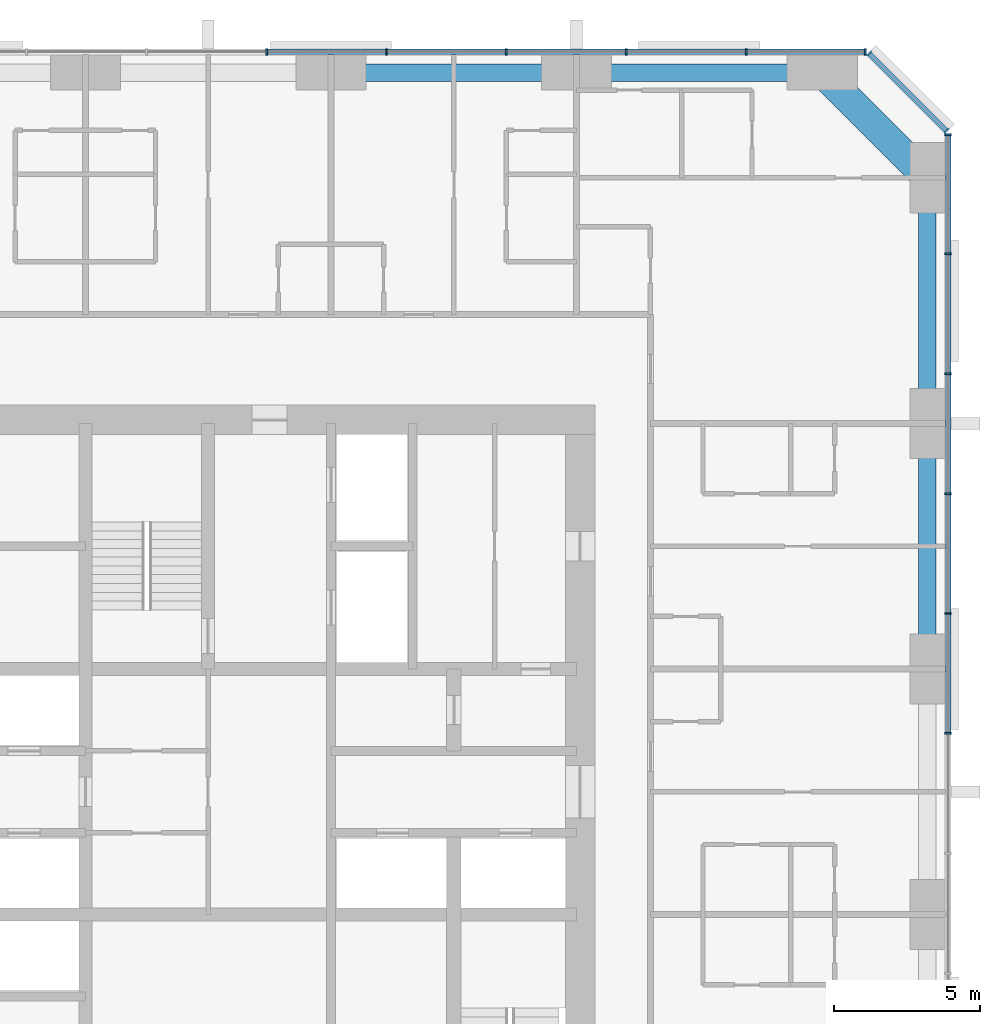
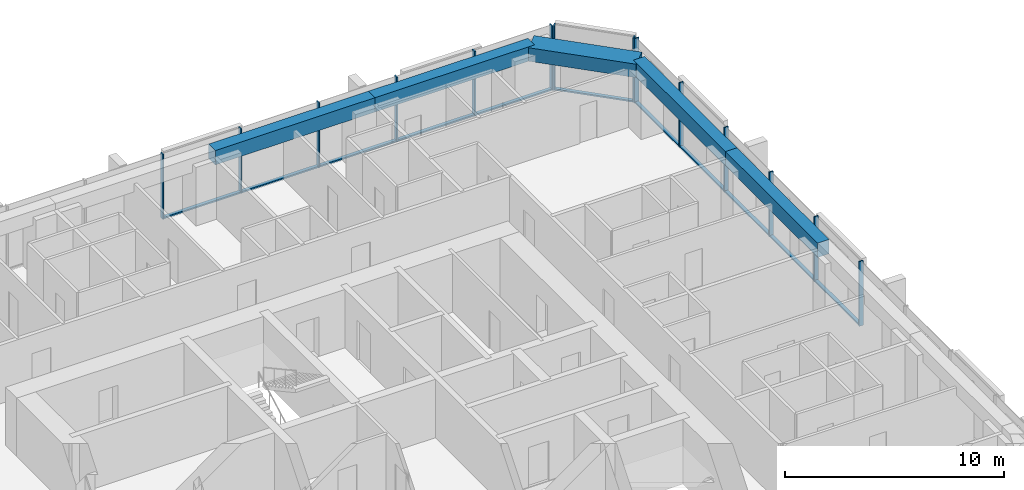
# One storey, part 6 of 14: 25 members, 5 beams, 3 elements without a shape of their own.
"""IFC4 building model written with IfcOpenShell, lengths in metres."""

import ifcopenshell
import ifcopenshell.guid

model = None  # the IFC model being written
_history = None  # IfcOwnerHistory: only IFC2X3 demands one
_inside = {}  # id of a spatial element -> (the spatial element, [elements in it])
_under = {}  # id of a project, library or spatial element -> (it, [spatial elements below it])
_declared = {}  # id of a project -> (the project, [libraries it declares])
_typed = {}  # id of a type object -> (the type object, [elements of that type])
_made_of = {}  # id of a material, layer set ... -> (it, [elements and type objects made of it])


def new_model(schema):
    """Start an empty IFC model of exactly this schema.

    Asked for "IFC4X3", IfcOpenShell would pick the latest addendum, in which some entities
    have other attributes; the version numbers below select the first issue.
    IFC2X3 requires an IfcOwnerHistory on every rooted entity: one is made here for all.
    """
    global model, _history
    if schema == "IFC4X3":
        model = ifcopenshell.file(schema_version=(4, 3, 0, 0))
    else:
        model = ifcopenshell.file(schema=schema)
    _inside.clear()
    _under.clear()
    _declared.clear()
    _typed.clear()
    _made_of.clear()
    _history = None
    if model.schema == "IFC2X3":
        org = make("IfcOrganization", Name="unknown")
        user = make(
            "IfcPersonAndOrganization",
            ThePerson=make("IfcPerson", FamilyName="unknown"),
            TheOrganization=org,
        )
        app = make(
            "IfcApplication",
            ApplicationDeveloper=org,
            Version="unknown",
            ApplicationFullName="unknown",
            ApplicationIdentifier="unknown",
        )
        _history = make(
            "IfcOwnerHistory",
            OwningUser=user,
            OwningApplication=app,
            ChangeAction="ADDED",
            CreationDate=0,
        )
    return model


def make(cls, **values):
    """One entity of the class cls with the attributes given. An attribute that is None is left unset."""
    return model.create_entity(
        cls, **{name: value for name, value in values.items() if value is not None}
    )


def rooted(cls, **values):
    """An entity with a GlobalId (a new one), such as an element, a storey or a relation."""
    return make(cls, GlobalId=ifcopenshell.guid.new(), OwnerHistory=_history, **values)


def si_unit(unit_type, name, prefix=None):
    """IfcSIUnit, for example si_unit("LENGTHUNIT", "METRE", prefix="MILLI")."""
    return make("IfcSIUnit", UnitType=unit_type, Prefix=prefix, Name=name)


def assignment(units):
    """IfcUnitAssignment: the units of a project."""
    return None if units is None else make("IfcUnitAssignment", Units=units)


def point(xyz):
    """IfcCartesianPoint."""
    return None if xyz is None else make("IfcCartesianPoint", Coordinates=xyz)


def direction(xyz):
    """IfcDirection."""
    return None if xyz is None else make("IfcDirection", DirectionRatios=xyz)


def frame(location, z_axis=None, x_axis=None):
    """IfcAxis2Placement3D, a coordinate frame: its origin and axes. An axis left out is left unset."""
    return make(
        "IfcAxis2Placement3D",
        Location=point(location),
        Axis=direction(z_axis),
        RefDirection=direction(x_axis),
    )


def frame_2d(location, x_axis=None):
    """IfcAxis2Placement2D, a coordinate frame in the plane: its origin and x axis."""
    return make(
        "IfcAxis2Placement2D", Location=point(location), RefDirection=direction(x_axis)
    )


def origin():
    """The frame at (0, 0, 0) with its axes left unset."""
    return frame((0.0, 0.0, 0.0))


def origin_2d():
    """The frame at (0, 0) in the plane with its x axis left unset."""
    return frame_2d((0.0, 0.0))


def place(relative_to, where):
    """IfcLocalPlacement: puts the frame where relative to a parent placement (None: the world)."""
    return make(
        "IfcLocalPlacement", PlacementRelTo=relative_to, RelativePlacement=where
    )


def context(
    kind, dimensions, precision=None, world=None, true_north=None, identifier=None
):
    """IfcGeometricRepresentationContext, for example the 3D "Model" context."""
    return make(
        "IfcGeometricRepresentationContext",
        ContextIdentifier=identifier,
        ContextType=kind,
        CoordinateSpaceDimension=dimensions,
        Precision=precision,
        WorldCoordinateSystem=world,
        TrueNorth=true_north,
    )


def subcontext(parent, identifier, kind, view, scale=None):
    """IfcGeometricRepresentationSubContext, for example "Body" below "Model"."""
    return make(
        "IfcGeometricRepresentationSubContext",
        ContextIdentifier=identifier,
        ContextType=kind,
        ParentContext=parent,
        TargetScale=scale,
        TargetView=view,
    )


def project(units=None, contexts=None):
    """IfcProject with its units and contexts."""
    return rooted(
        "IfcProject",
        Name="project",
        RepresentationContexts=contexts,
        UnitsInContext=assignment(units),
    )


def spatial(cls, under=None, at=None, **own):
    """A site, building, storey or space (cls), placed at a placement, below another one or the project."""
    s = rooted(cls, ObjectPlacement=at, **own)
    if under is not None:
        _under.setdefault(under.id(), (under, []))[1].append(s)
    return s


def profile(cls, at=None, kind="AREA", **sizes):
    """A parametric profile (cls). Its sizes go by their IFC names, for example OverallWidth=200.0."""
    return make(cls, ProfileType=kind, Position=at, **sizes)


def rectangle(**sizes):
    """IfcRectangleProfileDef."""
    return profile("IfcRectangleProfileDef", **sizes)


def extrude(swept, where, along, depth):
    """IfcExtrudedAreaSolid: the profile swept, set in the frame where, extruded along a direction by depth."""
    return make(
        "IfcExtrudedAreaSolid",
        SweptArea=swept,
        Position=where,
        ExtrudedDirection=direction(along),
        Depth=depth,
    )


def shape(context_of_items, identifier, shape_type, items):
    """IfcShapeRepresentation: the items that make up one representation, for example the "Body"."""
    return make(
        "IfcShapeRepresentation",
        ContextOfItems=context_of_items,
        RepresentationIdentifier=identifier,
        RepresentationType=shape_type,
        Items=items,
    )


def material(Name=None, Category=None):
    """IfcMaterial."""
    return make("IfcMaterial", Name=Name, Category=Category)


def material_profile(
    of_material, cross_section, Name=None, Category=None, Priority=None
):
    """IfcMaterialProfile: a cross section and its material."""
    return make(
        "IfcMaterialProfile",
        Name=Name,
        Material=of_material,
        Profile=cross_section,
        Priority=Priority,
        Category=Category,
    )


def profile_set(profiles, Name=None, composite=None):
    """IfcMaterialProfileSet."""
    return make(
        "IfcMaterialProfileSet",
        Name=Name,
        MaterialProfiles=profiles,
        CompositeProfile=composite,
    )


def made_of(thing, what):
    """Note that an element or type object is made of a material, layer set ...; save() writes the relation."""
    if what is not None:
        _made_of.setdefault(what.id(), (what, []))[1].append(thing)
    return thing


def type_object(cls, material=None, **own):
    """A type object (cls), such as IfcWallType, which elements share."""
    return made_of(rooted(cls, **own), material)


def element(
    cls,
    number,
    at=None,
    inside=None,
    cuts=None,
    type_object=None,
    material=None,
    context=None,
    identifier="Body",
    shape_type=None,
    held_by="IfcProductDefinitionShape",
    body=None,
    shapes=None,
    **own,
):
    """One element of the class cls, such as IfcWall. Its Tag is "e" and its number.

    at: its placement. inside: the storey or other place that contains it. cuts: it is an
    opening in that element (IfcRelVoidsElement). A single representation is given by context,
    identifier, shape_type and body (its items); several are given by shapes. held_by: the class
    of the entity that holds the representations. save() writes the other relations.
    """
    e = rooted(cls, Tag="e%d" % number, ObjectPlacement=at, **own)
    if body is not None:
        shapes = [shape(context, identifier, shape_type, body)]
    if shapes is not None:
        e.Representation = make(held_by, Representations=shapes)
    if inside is not None:
        _inside.setdefault(inside.id(), (inside, []))[1].append(e)
    if cuts is not None:
        rooted(
            "IfcRelVoidsElement", RelatingBuildingElement=cuts, RelatedOpeningElement=e
        )
    if type_object is not None:
        _typed.setdefault(type_object.id(), (type_object, []))[1].append(e)
    return made_of(e, material)


def aggregate(whole, parts):
    """IfcRelAggregates: a whole, such as a stair, and the parts it consists of."""
    return rooted("IfcRelAggregates", RelatingObject=whole, RelatedObjects=parts)


def save(model, path):
    """Write the relations noted so far, then the file.

    IfcRelAggregates (storeys below a building ...), IfcRelContainedInSpatialStructure (elements
    in a storey), IfcRelDefinesByType, IfcRelAssociatesMaterial and IfcRelDeclares: one each for
    every whole, place, type object, material and project.
    """
    for whole, parts in _under.values():
        aggregate(whole, parts)
    for where, things in _inside.values():
        rooted(
            "IfcRelContainedInSpatialStructure",
            RelatedElements=things,
            RelatingStructure=where,
        )
    for kind, things in _typed.values():
        rooted("IfcRelDefinesByType", RelatedObjects=things, RelatingType=kind)
    for what, things in _made_of.values():
        rooted("IfcRelAssociatesMaterial", RelatedObjects=things, RelatingMaterial=what)
    for by, libraries in _declared.values():
        rooted("IfcRelDeclares", RelatingContext=by, RelatedDefinitions=libraries)
    model.write(path)


model = new_model("IFC4")

# Units and contexts
model_context = context("Model", 3, precision=1e-05, world=origin(), true_north=direction((0.0, 1.0)))
body_context = subcontext(model_context, "Body", "Model", "MODEL_VIEW")
ifc_project = project(units=[si_unit("LENGTHUNIT", "METRE"), si_unit("AREAUNIT", "SQUARE_METRE"), si_unit("VOLUMEUNIT", "CUBIC_METRE"), si_unit("PLANEANGLEUNIT", "RADIAN"), si_unit("MASSUNIT", "GRAM", prefix="KILO")], contexts=[model_context])

# Site, building, storey
site_placement = place(None, origin())
site = spatial("IfcSite", under=ifc_project, at=site_placement, CompositionType="ELEMENT")
building_placement = place(site_placement, origin())
building = spatial("IfcBuilding", under=site, at=building_placement, Name="Dunama Terrace Hotel", CompositionType="ELEMENT")
storey_placement = place(building_placement, frame((0.0, 0.0, 122.39990234375)))
storey = spatial("IfcBuildingStorey", under=building, at=storey_placement, Name="L31", CompositionType="ELEMENT", Elevation=122.39990234375)

# Curtain wall, members
ifc_material_1 = material(Name="Aluminium curtain wall system", Category="aluminium")
curtain_wall_type = type_object("IfcCurtainWallType", Name="Unitised fritted glass wall CW-B", PredefinedType="NOTDEFINED", material=ifc_material_1)
curtain_wall_1_placement = place(storey_placement, origin())
curtain_wall_1 = element("IfcCurtainWall", 1, at=curtain_wall_1_placement, inside=storey, type_object=curtain_wall_type, Name="Unitised fritted glass wall CW-B L31", PredefinedType="NOTDEFINED")
ifc_material_2 = material(Name="Aluminium mullion", Category="aluminium")
ifc_material_profile_1 = material_profile(ifc_material_2, rectangle(XDim=0.06494140625, YDim=0.219970703125, at=origin_2d()), Name="CWB MULLION 65X220")
ifc_profile_set_1 = profile_set([ifc_material_profile_1], Name="Aluminium mullion")
member_type_1 = type_object("IfcMemberType", Name="CWB mullion 65x220", PredefinedType="MULLION", material=ifc_profile_set_1)
member_1_placement = place(storey_placement, frame((54.7099609375, 31.39990234375, 0.0), z_axis=(0.0, 0.0, 1.0), x_axis=(0.0, 1.0, 0.0)))
member_1 = element("IfcMember", 2, at=member_1_placement, type_object=member_type_1, Name="CWB mullion", PredefinedType="MULLION", context=body_context, shape_type="SweptSolid", body=[
    extrude(rectangle(XDim=0.06494140625, YDim=0.219970703125, at=origin_2d()), origin(), (0.0, 0.0, 1.0), 3.60009765625),
])
member_2_placement = place(storey_placement, frame((54.7099609375, 35.5, 0.0), z_axis=(0.0, 0.0, 1.0), x_axis=(0.0, 1.0, 0.0)))
member_2 = element("IfcMember", 3, at=member_2_placement, type_object=member_type_1, Name="CWB mullion", PredefinedType="MULLION", context=body_context, shape_type="SweptSolid", body=[
    extrude(rectangle(XDim=0.06494140625, YDim=0.219970703125, at=origin_2d()), origin(), (0.0, 0.0, 1.0), 3.60009765625),
])
member_3_placement = place(storey_placement, frame((54.7099609375, 39.60009765625, 0.0), z_axis=(0.0, 0.0, 1.0), x_axis=(0.0, 1.0, 0.0)))
member_3 = element("IfcMember", 4, at=member_3_placement, type_object=member_type_1, Name="CWB mullion", PredefinedType="MULLION", context=body_context, shape_type="SweptSolid", body=[
    extrude(rectangle(XDim=0.06494140625, YDim=0.219970703125, at=origin_2d()), origin(), (0.0, 0.0, 1.0), 3.60009765625),
])
member_4_placement = place(storey_placement, frame((54.7099609375, 43.699951171875, 0.0), z_axis=(0.0, 0.0, 1.0), x_axis=(0.0, 1.0, 0.0)))
member_4 = element("IfcMember", 5, at=member_4_placement, type_object=member_type_1, Name="CWB mullion", PredefinedType="MULLION", context=body_context, shape_type="SweptSolid", body=[
    extrude(rectangle(XDim=0.06494140625, YDim=0.219970703125, at=origin_2d()), origin(), (0.0, 0.0, 1.0), 3.60009765625),
])
member_5_placement = place(storey_placement, frame((54.7099609375, 47.800048828125, 0.0), z_axis=(0.0, 0.0, 1.0), x_axis=(0.0, 1.0, 0.0)))
member_5 = element("IfcMember", 6, at=member_5_placement, type_object=member_type_1, Name="CWB mullion", PredefinedType="MULLION", context=body_context, shape_type="SweptSolid", body=[
    extrude(rectangle(XDim=0.06494140625, YDim=0.219970703125, at=origin_2d()), origin(), (0.0, 0.0, 1.0), 3.60009765625),
])
member_6_placement = place(storey_placement, frame((54.7099609375, 51.866943359375, 0.0), z_axis=(0.0, 0.0, 1.0), x_axis=(0.0, 1.0, 0.0)))
member_6 = element("IfcMember", 7, at=member_6_placement, type_object=member_type_1, Name="CWB mullion", PredefinedType="MULLION", context=body_context, shape_type="SweptSolid", body=[
    extrude(rectangle(XDim=0.06494140625, YDim=0.219970703125, at=origin_2d()), origin(), (0.0, 0.0, 1.0), 3.60009765625),
])

curtain_wall_2_placement = place(storey_placement, origin())
curtain_wall_2 = element("IfcCurtainWall", 8, at=curtain_wall_2_placement, inside=storey, type_object=curtain_wall_type, Name="Unitised fritted glass wall CW-B L31", PredefinedType="NOTDEFINED")
member_7_placement = place(storey_placement, frame((54.655029296875, 52.0009765625, 0.0), z_axis=(0.0, 0.0, 1.0), x_axis=(-0.707106781187, 0.707106781187, 0.0)))
member_7 = element("IfcMember", 9, at=member_7_placement, type_object=member_type_1, Name="CWB mullion", PredefinedType="MULLION", context=body_context, shape_type="SweptSolid", body=[
    extrude(rectangle(XDim=0.06494140625, YDim=0.219970703125, at=origin_2d()), origin(), (0.0, 0.0, 1.0), 3.60009765625),
])
member_8_placement = place(storey_placement, frame((52.0009765625, 54.655029296875, 0.0), z_axis=(0.0, 0.0, 1.0), x_axis=(-0.707106781187, 0.707106781187, 0.0)))
member_8 = element("IfcMember", 10, at=member_8_placement, type_object=member_type_1, Name="CWB mullion", PredefinedType="MULLION", context=body_context, shape_type="SweptSolid", body=[
    extrude(rectangle(XDim=0.06494140625, YDim=0.219970703125, at=origin_2d()), origin(), (0.0, 0.0, 1.0), 3.60009765625),
])

curtain_wall_3_placement = place(storey_placement, origin())
curtain_wall_3 = element("IfcCurtainWall", 11, at=curtain_wall_3_placement, inside=storey, type_object=curtain_wall_type, Name="Unitised fritted glass wall CW-B L31", PredefinedType="NOTDEFINED")
member_9_placement = place(storey_placement, frame((51.866943359375, 54.7099609375, 0.0), z_axis=(0.0, 0.0, 1.0), x_axis=(-1.0, 0.0, 0.0)))
member_9 = element("IfcMember", 12, at=member_9_placement, type_object=member_type_1, Name="CWB mullion", PredefinedType="MULLION", context=body_context, shape_type="SweptSolid", body=[
    extrude(rectangle(XDim=0.06494140625, YDim=0.219970703125, at=origin_2d()), origin(), (0.0, 0.0, 1.0), 3.60009765625),
])
member_10_placement = place(storey_placement, frame((47.800048828125, 54.7099609375, 0.0), z_axis=(0.0, 0.0, 1.0), x_axis=(-1.0, 0.0, 0.0)))
member_10 = element("IfcMember", 13, at=member_10_placement, type_object=member_type_1, Name="CWB mullion", PredefinedType="MULLION", context=body_context, shape_type="SweptSolid", body=[
    extrude(rectangle(XDim=0.06494140625, YDim=0.219970703125, at=origin_2d()), origin(), (0.0, 0.0, 1.0), 3.60009765625),
])
member_11_placement = place(storey_placement, frame((43.699951171875, 54.7099609375, 0.0), z_axis=(0.0, 0.0, 1.0), x_axis=(-1.0, 0.0, 0.0)))
member_11 = element("IfcMember", 14, at=member_11_placement, type_object=member_type_1, Name="CWB mullion", PredefinedType="MULLION", context=body_context, shape_type="SweptSolid", body=[
    extrude(rectangle(XDim=0.06494140625, YDim=0.219970703125, at=origin_2d()), origin(), (0.0, 0.0, 1.0), 3.60009765625),
])
member_12_placement = place(storey_placement, frame((39.60009765625, 54.7099609375, 0.0), z_axis=(0.0, 0.0, 1.0), x_axis=(-1.0, 0.0, 0.0)))
member_12 = element("IfcMember", 15, at=member_12_placement, type_object=member_type_1, Name="CWB mullion", PredefinedType="MULLION", context=body_context, shape_type="SweptSolid", body=[
    extrude(rectangle(XDim=0.06494140625, YDim=0.219970703125, at=origin_2d()), origin(), (0.0, 0.0, 1.0), 3.60009765625),
])
member_13_placement = place(storey_placement, frame((35.5, 54.7099609375, 0.0), z_axis=(0.0, 0.0, 1.0), x_axis=(-1.0, 0.0, 0.0)))
member_13 = element("IfcMember", 16, at=member_13_placement, type_object=member_type_1, Name="CWB mullion", PredefinedType="MULLION", context=body_context, shape_type="SweptSolid", body=[
    extrude(rectangle(XDim=0.06494140625, YDim=0.219970703125, at=origin_2d()), origin(), (0.0, 0.0, 1.0), 3.60009765625),
])
member_14_placement = place(storey_placement, frame((31.39990234375, 54.7099609375, 0.0), z_axis=(0.0, 0.0, 1.0), x_axis=(-1.0, 0.0, 0.0)))
member_14 = element("IfcMember", 17, at=member_14_placement, type_object=member_type_1, Name="CWB mullion", PredefinedType="MULLION", context=body_context, shape_type="SweptSolid", body=[
    extrude(rectangle(XDim=0.06494140625, YDim=0.219970703125, at=origin_2d()), origin(), (0.0, 0.0, 1.0), 3.60009765625),
])

# Member
ifc_material_3 = material(Name="Aluminium transom", Category="aluminium")
ifc_material_profile_2 = material_profile(ifc_material_3, rectangle(XDim=0.179931640625, YDim=0.080078125, at=origin_2d()), Name="CWB TRANSOM 180X80")
ifc_profile_set_2 = profile_set([ifc_material_profile_2], Name="Aluminium transom")
member_type_2 = type_object("IfcMemberType", Name="CWB transom 180x80", PredefinedType="USERDEFINED", material=ifc_profile_set_2)
member_15_placement = place(storey_placement, frame((54.7099609375, 31.431884765625, 0.0400390625), z_axis=(0.0, 1.0, 0.0), x_axis=(-1.0, 0.0, 0.0)))
member_15 = element("IfcMember", 18, at=member_15_placement, type_object=member_type_2, Name="CWB transom", ObjectType="TRANSOM", PredefinedType="USERDEFINED", context=body_context, shape_type="SweptSolid", body=[
    extrude(rectangle(XDim=0.179931640625, YDim=0.080078125, at=origin_2d()), origin(), (0.0, 0.0, 1.0), 4.0361328125),
])

member_16_placement = place(storey_placement, frame((54.7099609375, 35.531982421875, 0.0400390625), z_axis=(0.0, 1.0, 0.0), x_axis=(-1.0, 0.0, 0.0)))
member_16 = element("IfcMember", 19, at=member_16_placement, type_object=member_type_2, Name="CWB transom", ObjectType="TRANSOM", PredefinedType="USERDEFINED", context=body_context, shape_type="SweptSolid", body=[
    extrude(rectangle(XDim=0.179931640625, YDim=0.080078125, at=origin_2d()), origin(), (0.0, 0.0, 1.0), 4.0361328125),
])

member_17_placement = place(storey_placement, frame((54.7099609375, 39.633056640625, 0.0400390625), z_axis=(0.0, 1.0, 0.0), x_axis=(-1.0, 0.0, 0.0)))
member_17 = element("IfcMember", 20, at=member_17_placement, type_object=member_type_2, Name="CWB transom", ObjectType="TRANSOM", PredefinedType="USERDEFINED", context=body_context, shape_type="SweptSolid", body=[
    extrude(rectangle(XDim=0.179931640625, YDim=0.080078125, at=origin_2d()), origin(), (0.0, 0.0, 1.0), 4.034912109375),
])

member_18_placement = place(storey_placement, frame((54.7099609375, 43.73291015625, 0.0400390625), z_axis=(0.0, 1.0, 0.0), x_axis=(-1.0, 0.0, 0.0)))
member_18 = element("IfcMember", 21, at=member_18_placement, type_object=member_type_2, Name="CWB transom", ObjectType="TRANSOM", PredefinedType="USERDEFINED", context=body_context, shape_type="SweptSolid", body=[
    extrude(rectangle(XDim=0.179931640625, YDim=0.080078125, at=origin_2d()), origin(), (0.0, 0.0, 1.0), 4.0341796875),
])

member_19_placement = place(storey_placement, frame((54.7099609375, 47.83203125, 0.0400390625), z_axis=(0.0, 1.0, 0.0), x_axis=(-1.0, 0.0, 0.0)))
member_19 = element("IfcMember", 22, at=member_19_placement, type_object=member_type_2, Name="CWB transom", ObjectType="TRANSOM", PredefinedType="USERDEFINED", context=body_context, shape_type="SweptSolid", body=[
    extrude(rectangle(XDim=0.179931640625, YDim=0.080078125, at=origin_2d()), origin(), (0.0, 0.0, 1.0), 4.0029296875),
])

aggregate(curtain_wall_1, [member_1, member_2, member_3, member_4, member_5, member_6, member_15, member_16, member_17, member_18, member_19])

member_20_placement = place(storey_placement, frame((54.632080078125, 52.02392578125, 0.0400390625), z_axis=(-0.707106781187, 0.707106781187, 0.0), x_axis=(-0.707106781187, -0.707106781187, 0.0)))
member_20 = element("IfcMember", 23, at=member_20_placement, type_object=member_type_2, Name="CWB transom", ObjectType="TRANSOM", PredefinedType="USERDEFINED", context=body_context, shape_type="SweptSolid", body=[
    extrude(rectangle(XDim=0.179931640625, YDim=0.080078125, at=origin_2d()), origin(), (0.0, 0.0, 1.0), 3.6884765625),
])

aggregate(curtain_wall_2, [member_7, member_8, member_20])

member_21_placement = place(storey_placement, frame((51.8349609375, 54.7099609375, 0.0400390625), z_axis=(-1.0, 0.0, 0.0), x_axis=(0.0, -1.0, 0.0)))
member_21 = element("IfcMember", 24, at=member_21_placement, type_object=member_type_2, Name="CWB transom", ObjectType="TRANSOM", PredefinedType="USERDEFINED", context=body_context, shape_type="SweptSolid", body=[
    extrude(rectangle(XDim=0.179931640625, YDim=0.080078125, at=origin_2d()), origin(), (0.0, 0.0, 1.0), 4.0029296875),
])

member_22_placement = place(storey_placement, frame((47.76708984375, 54.7099609375, 0.0400390625), z_axis=(-1.0, 0.0, 0.0), x_axis=(0.0, -1.0, 0.0)))
member_22 = element("IfcMember", 25, at=member_22_placement, type_object=member_type_2, Name="CWB transom", ObjectType="TRANSOM", PredefinedType="USERDEFINED", context=body_context, shape_type="SweptSolid", body=[
    extrude(rectangle(XDim=0.179931640625, YDim=0.080078125, at=origin_2d()), origin(), (0.0, 0.0, 1.0), 4.0341796875),
])

member_23_placement = place(storey_placement, frame((43.6669921875, 54.7099609375, 0.0400390625), z_axis=(-1.0, 0.0, 0.0), x_axis=(0.0, -1.0, 0.0)))
member_23 = element("IfcMember", 26, at=member_23_placement, type_object=member_type_2, Name="CWB transom", ObjectType="TRANSOM", PredefinedType="USERDEFINED", context=body_context, shape_type="SweptSolid", body=[
    extrude(rectangle(XDim=0.179931640625, YDim=0.080078125, at=origin_2d()), origin(), (0.0, 0.0, 1.0), 4.033935546875),
])

member_24_placement = place(storey_placement, frame((39.56689453125, 54.7099609375, 0.0400390625), z_axis=(-1.0, 0.0, 0.0), x_axis=(0.0, -1.0, 0.0)))
member_24 = element("IfcMember", 27, at=member_24_placement, type_object=member_type_2, Name="CWB transom", ObjectType="TRANSOM", PredefinedType="USERDEFINED", context=body_context, shape_type="SweptSolid", body=[
    extrude(rectangle(XDim=0.179931640625, YDim=0.080078125, at=origin_2d()), origin(), (0.0, 0.0, 1.0), 4.034912109375),
])

member_25_placement = place(storey_placement, frame((35.468017578125, 54.7099609375, 0.0400390625), z_axis=(-1.0, 0.0, 0.0), x_axis=(0.0, -1.0, 0.0)))
member_25 = element("IfcMember", 28, at=member_25_placement, type_object=member_type_2, Name="CWB transom", ObjectType="TRANSOM", PredefinedType="USERDEFINED", context=body_context, shape_type="SweptSolid", body=[
    extrude(rectangle(XDim=0.179931640625, YDim=0.080078125, at=origin_2d()), origin(), (0.0, 0.0, 1.0), 4.0361328125),
])

aggregate(curtain_wall_3, [member_9, member_10, member_11, member_12, member_13, member_14, member_21, member_22, member_23, member_24, member_25])

# Beams
ifc_material_4 = material(Name="Concrete C50/60", Category="concrete")
ifc_material_profile_3 = material_profile(ifc_material_4, rectangle(XDim=1.0, YDim=0.75, at=origin_2d()), Name="RC 1000x750")
ifc_profile_set_3 = profile_set([ifc_material_profile_3], Name="Concrete C50/60")
beam_type_1 = type_object("IfcBeamType", Name="Edge beam RC 1000x750", PredefinedType="SPANDREL", material=ifc_profile_set_3)
beam_placement = place(storey_placement, frame((50.39990234375, 54.0, 3.22509765625), z_axis=(0.707106781187, -0.707106781187, 0.0), x_axis=(0.707106781187, 0.707106781187, 0.0)))
element("IfcBeam", 29, at=beam_placement, inside=storey, type_object=beam_type_1, Name="Corner edge beam under L32", PredefinedType="SPANDREL", context=body_context, shape_type="SweptSolid", body=[
    extrude(rectangle(XDim=1.0, YDim=0.75, at=origin_2d()), origin(), (0.0, 0.0, 1.0), 5.09130859375),
])
ifc_material_5 = material(Name="Concrete C40/50", Category="concrete")
ifc_material_profile_4 = material_profile(ifc_material_5, rectangle(XDim=0.60009765625, YDim=0.800048828125, at=origin_2d()), Name="RC 600x800")
ifc_profile_set_4 = profile_set([ifc_material_profile_4], Name="Concrete C40/50")
beam_type_2 = type_object("IfcBeamType", Name="Edge beam RC 600x800", PredefinedType="SPANDREL", material=ifc_profile_set_4)
for number, where, z_axis, x_axis, name in (
    (30, (54.0, 33.60009765625, 3.2001953125), (0.0, 1.0, 0.0), (-1.0, 0.0, 0.0), "Edge beam under L32"),
    (31, (54.0, 42.0, 3.2001953125), (0.0, 1.0, 0.0), (-1.0, 0.0, 0.0), "Edge beam under L32"),
    (32, (33.60009765625, 54.0, 3.2001953125), (1.0, 0.0, 0.0), (0.0, 1.0, 0.0), "Edge beam under L32"),
    (33, (42.0, 54.0, 3.2001953125), (1.0, 0.0, 0.0), (0.0, 1.0, 0.0), "Edge beam under L32"),
):
    element("IfcBeam", number, at=place(storey_placement, frame(where, z_axis=z_axis, x_axis=x_axis)), inside=storey, type_object=beam_type_2, Name=name, PredefinedType="SPANDREL", context=body_context, shape_type="SweptSolid", body=[
        extrude(rectangle(XDim=0.60009765625, YDim=0.800048828125, at=origin_2d()), origin(), (0.0, 0.0, 1.0), 8.39990234375),
    ])

save(model, "model.ifc")
